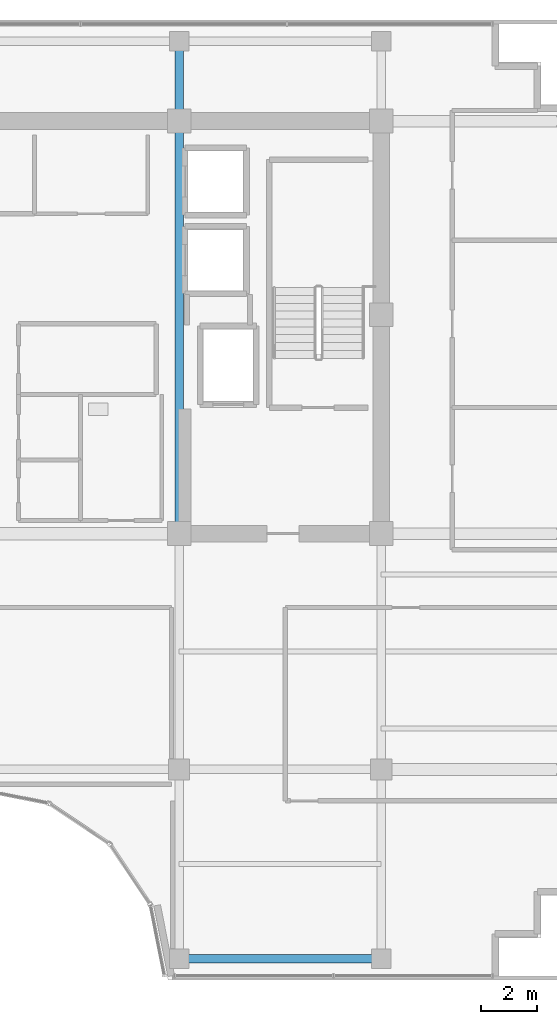
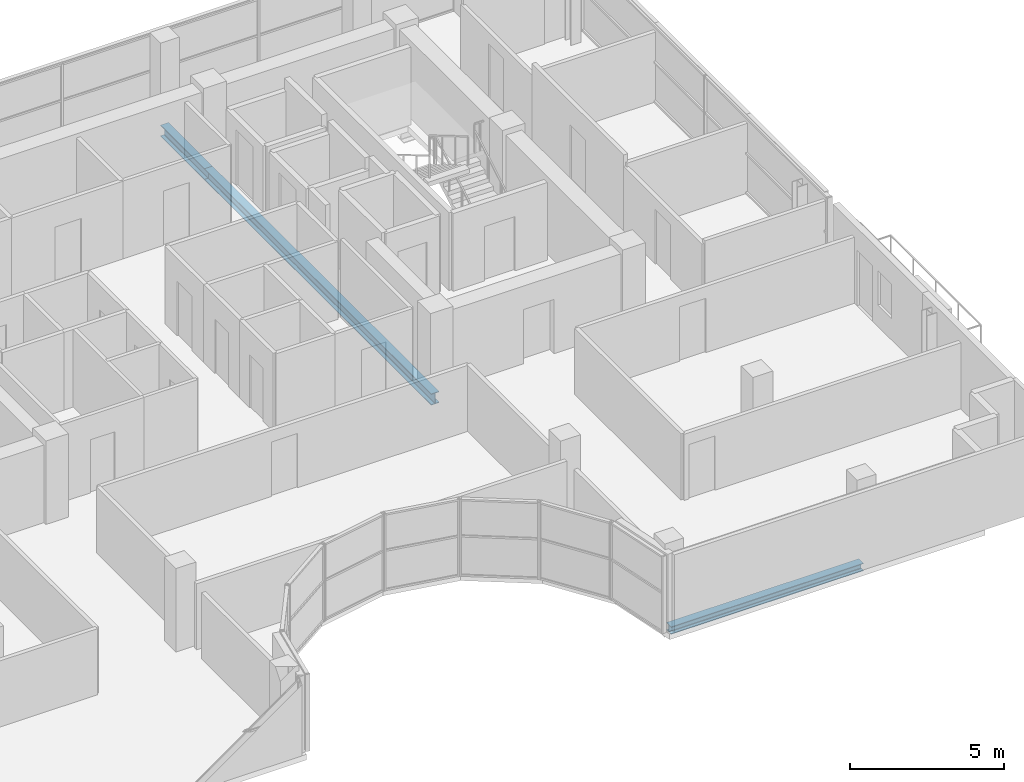
# One storey, part 12 of 29: 3 beams.
"""IFC4 building model written with IfcOpenShell, lengths in metres."""

from ifc_helpers import new_model, si_unit, direction, frame, origin, origin_2d, place, context, subcontext, project, spatial, i_section, extrude, material, material_profile, profile_set, type_object, element, save


model = new_model("IFC4")

# Units and contexts
model_context = context("Model", 3, precision=1e-05, world=origin(), true_north=direction((0.0, 1.0)))
body_context = subcontext(model_context, "Body", "Model", "MODEL_VIEW")
ifc_project = project(units=[si_unit("LENGTHUNIT", "METRE"), si_unit("AREAUNIT", "SQUARE_METRE"), si_unit("VOLUMEUNIT", "CUBIC_METRE"), si_unit("PLANEANGLEUNIT", "RADIAN"), si_unit("MASSUNIT", "GRAM", prefix="KILO")], contexts=[model_context])

# Site, building, storey
site_placement = place(None, origin())
site = spatial("IfcSite", under=ifc_project, at=site_placement, CompositionType="ELEMENT")
building_placement = place(site_placement, origin())
building = spatial("IfcBuilding", under=site, at=building_placement, Name="Zarnakvel Exchange Tower", CompositionType="ELEMENT")
storey_placement = place(building_placement, frame((0.0, 0.0, 258.39990234375)))
storey = spatial("IfcBuildingStorey", under=building, at=storey_placement, Name="L73", CompositionType="ELEMENT", Elevation=258.39990234375)

# Beams
ifc_material = material(Name="Steel S355", Category="steel")
ifc_material_profile_1 = material_profile(ifc_material, i_section(OverallWidth=0.300048828125, OverallDepth=0.449951171875, WebThickness=0.013916015625, FlangeThickness=0.02587890625, FilletRadius=0.027099609375, at=origin_2d()))
ifc_profile_set_1 = profile_set([ifc_material_profile_1], Name="Steel S355")
beam_type_1 = type_object("IfcBeamType", Name="G-07", PredefinedType="BEAM", material=ifc_profile_set_1)
beam_1_placement = place(storey_placement, frame((7.199951171875, -1.199951171875, -0.449951171875), z_axis=(0.0, 1.0, 0.0), x_axis=(-1.0, 0.0, 0.0)))
element("IfcBeam", 1, at=beam_1_placement, inside=storey, type_object=beam_type_1, Name="L73 Tower N-S Frame Beam", PredefinedType="BEAM", context=body_context, shape_type="SweptSolid", body=[
    extrude(i_section(OverallWidth=0.300048828125, OverallDepth=0.449951171875, WebThickness=0.013916015625, FlangeThickness=0.02587890625, FilletRadius=0.027099609375, at=origin_2d()), origin(), (0.0, 0.0, 1.0), 14.699951171875),
])
beam_2_placement = place(storey_placement, frame((7.199951171875, 13.5, -0.449951171875), z_axis=(0.0, 1.0, 0.0), x_axis=(-1.0, 0.0, 0.0)))
element("IfcBeam", 2, at=beam_2_placement, inside=storey, type_object=beam_type_1, Name="L73 Tower N-S Frame Beam", PredefinedType="BEAM", context=body_context, shape_type="SweptSolid", body=[
    extrude(i_section(OverallWidth=0.300048828125, OverallDepth=0.449951171875, WebThickness=0.013916015625, FlangeThickness=0.02587890625, FilletRadius=0.027099609375, at=origin_2d()), origin(), (0.0, 0.0, 1.0), 2.85009765625),
])
ifc_material_profile_2 = material_profile(ifc_material, i_section(OverallWidth=0.300048828125, OverallDepth=0.300048828125, WebThickness=0.010986328125, FlangeThickness=0.01904296875, FilletRadius=0.027099609375, at=origin_2d()))
ifc_profile_set_2 = profile_set([ifc_material_profile_2], Name="Steel S355")
beam_type_2 = type_object("IfcBeamType", Name="SP-03", PredefinedType="SPANDREL", material=ifc_profile_set_2)
beam_3_placement = place(storey_placement, frame((7.199951171875, -16.35009765625, -0.375), z_axis=(1.0, 0.0, 0.0), x_axis=(0.0, 1.0, 0.0)))
element("IfcBeam", 3, at=beam_3_placement, inside=storey, type_object=beam_type_2, Name="L73 Tower E-W Frame Beam", PredefinedType="SPANDREL", context=body_context, shape_type="SweptSolid", body=[
    extrude(i_section(OverallWidth=0.300048828125, OverallDepth=0.300048828125, WebThickness=0.010986328125, FlangeThickness=0.01904296875, FilletRadius=0.027099609375, at=origin_2d()), origin(), (0.0, 0.0, 1.0), 7.199951171875),
])

save(model, "model.ifc")
